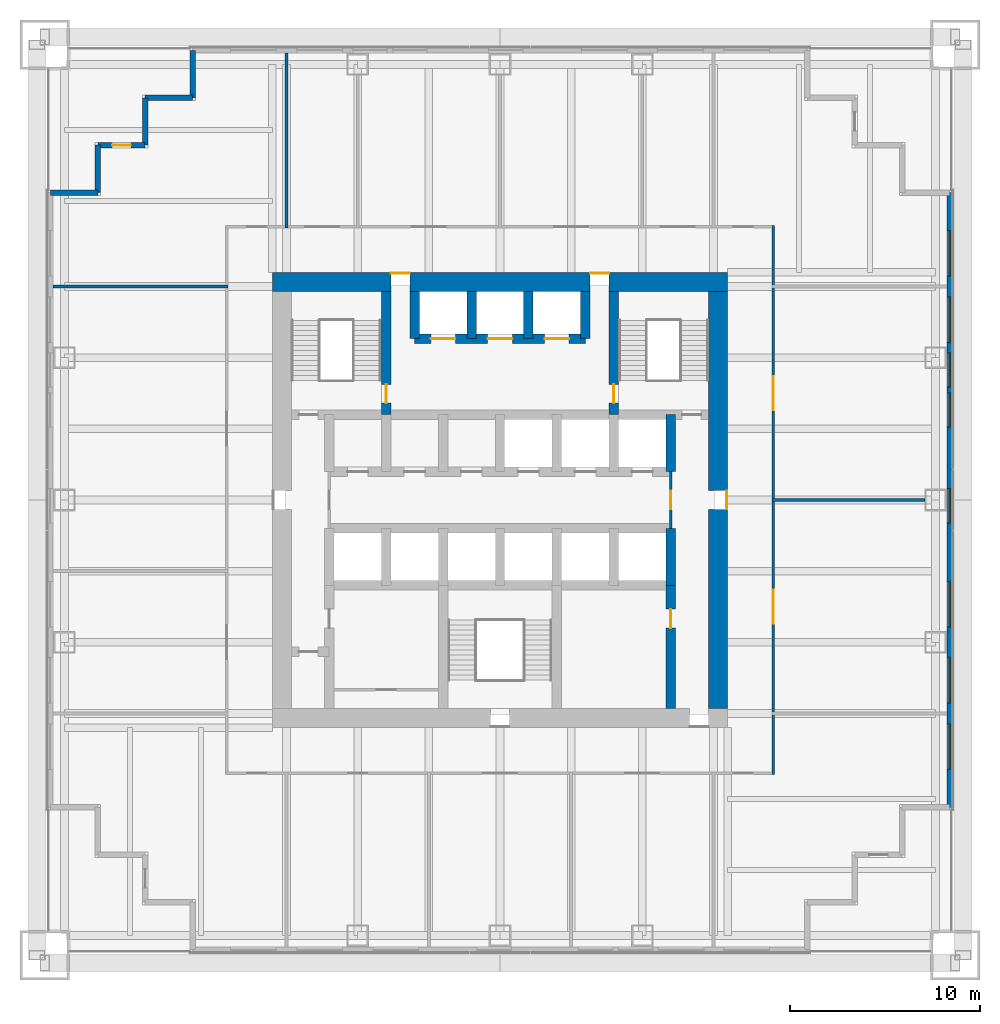
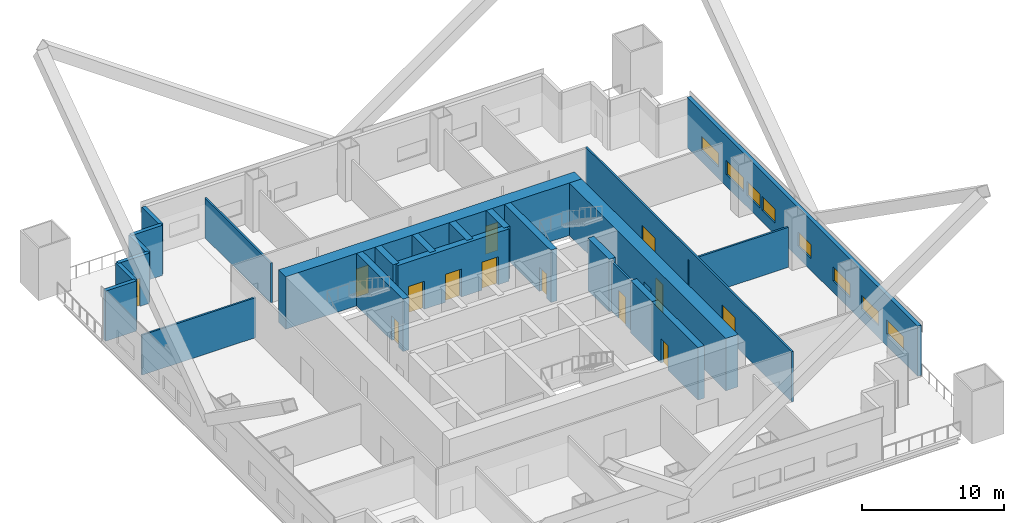
# One storey, part 4 of 7: 24 walls, 13 doors, 8 windows, 21 openings.
"""IFC4 building model written with IfcOpenShell, lengths in metres."""

from ifc_helpers import new_model, si_unit, direction, frame, frame_2d, origin, place, context, subcontext, project, spatial, rectangle, extrude, material, layer, layer_set, type_object, element, fill, save


model = new_model("IFC4")

# Units and contexts
model_context = context("Model", 3, precision=1e-05, world=origin(), true_north=direction((0.0, 1.0)))
body_context = subcontext(model_context, "Body", "Model", "MODEL_VIEW")
ifc_project = project(units=[si_unit("LENGTHUNIT", "METRE"), si_unit("AREAUNIT", "SQUARE_METRE"), si_unit("VOLUMEUNIT", "CUBIC_METRE"), si_unit("PLANEANGLEUNIT", "RADIAN"), si_unit("MASSUNIT", "GRAM", prefix="KILO")], contexts=[model_context])

# Site, building, storey
site_placement = place(None, origin())
site = spatial("IfcSite", under=ifc_project, at=site_placement, CompositionType="ELEMENT")
building_placement = place(site_placement, origin())
building = spatial("IfcBuilding", under=site, at=building_placement, Name="Tarangal Relay Tower", CompositionType="ELEMENT")
storey_placement = place(building_placement, frame((0.0, 0.0, 117.89990234375)))
storey = spatial("IfcBuildingStorey", under=building, at=storey_placement, Name="L23", CompositionType="ELEMENT", Elevation=117.89990234375)

# Wall, openings, doors
ifc_material_1 = material(Name="Concrete fc' 60 MPa", Category="concrete")
ifc_layer_1 = layer(ifc_material_1, 0.5)
ifc_layer_set_1 = layer_set([ifc_layer_1], Name="Core inner wall 500")
wall_type_1 = type_object("IfcWallType", Name="Core inner wall 500", PredefinedType="SHEAR", material=ifc_layer_set_1)
wall_1_placement = place(storey_placement, frame((-4.5, 8.5, 0.0), z_axis=(0.0, 0.0, 1.0), x_axis=(1.0, 0.0, 0.0)))
wall_1 = element("IfcWall", 1, at=wall_1_placement, inside=storey, type_object=wall_type_1, Name="Core wall Y85 L23", PredefinedType="SHEAR", context=body_context, shape_type="SweptSolid", body=[
    extrude(rectangle(XDim=9.0, YDim=0.5, at=frame_2d((4.5, 0.0))), origin(), (0.0, 0.0, 1.0), 4.5),
])
opening_1_placement = place(wall_1_placement, frame((0.85009765625, 0.0, 0.0)))
opening_1 = element("IfcOpeningElement", 2, at=opening_1_placement, cuts=wall_1, Name="Opening LD2", PredefinedType="OPENING", context=body_context, shape_type="SweptSolid", body=[
    extrude(rectangle(XDim=1.300048828125, YDim=2.39990234375, at=frame_2d((0.64990234375, 1.199951171875))), frame((0.0, 0.260009765625, 0.0), z_axis=(0.0, -1.0, 0.0), x_axis=(1.0, 0.0, 0.0)), (0.0, 0.0, 1.0), 0.52001953125),
])
opening_2_placement = place(wall_1_placement, frame((6.85009765625, 0.0, 0.0)))
opening_2 = element("IfcOpeningElement", 3, at=opening_2_placement, cuts=wall_1, Name="Opening LD2", PredefinedType="OPENING", context=body_context, shape_type="SweptSolid", body=[
    extrude(rectangle(XDim=1.300048828125, YDim=2.39990234375, at=frame_2d((0.64990234375, 1.199951171875))), frame((0.0, 0.260009765625, 0.0), z_axis=(0.0, -1.0, 0.0), x_axis=(1.0, 0.0, 0.0)), (0.0, 0.0, 1.0), 0.52001953125),
])
opening_3_placement = place(wall_1_placement, frame((3.85009765625, 0.0, 0.0)))
opening_3 = element("IfcOpeningElement", 4, at=opening_3_placement, cuts=wall_1, Name="Opening LD2", PredefinedType="OPENING", context=body_context, shape_type="SweptSolid", body=[
    extrude(rectangle(XDim=1.300048828125, YDim=2.39990234375, at=frame_2d((0.64990234375, 1.199951171875))), frame((0.0, 0.260009765625, 0.0), z_axis=(0.0, -1.0, 0.0), x_axis=(1.0, 0.0, 0.0)), (0.0, 0.0, 1.0), 0.52001953125),
])
ifc_material_2 = material(Name="Steel door with hardwood frame", Category="steel")
door_type_1 = type_object("IfcDoorType", Name="Lift landing door 1300 x 2400", OperationType="SLIDING_TO_LEFT", PredefinedType="DOOR", material=ifc_material_2)
door_1_placement = place(opening_1_placement, origin())
door_1 = element("IfcDoor", 5, at=door_1_placement, inside=storey, type_object=door_type_1, Name="Lift FF1 landing door L23", OperationType="SLIDING_TO_LEFT", OverallHeight=2.39990234375, OverallWidth=1.300048828125, PredefinedType="DOOR", context=body_context, shape_type="SweptSolid", body=[
    extrude(rectangle(XDim=1.300048828125, YDim=2.39990234375, at=frame_2d((0.64990234375, 1.199951171875))), frame((0.0, 0.02490234375, 0.0), z_axis=(0.0, -1.0, 0.0), x_axis=(1.0, 0.0, 0.0)), (0.0, 0.0, 1.0), 0.050048828125),
])
fill(opening_1, door_1)
door_2_placement = place(opening_2_placement, origin())
door_2 = element("IfcDoor", 6, at=door_2_placement, inside=storey, type_object=door_type_1, Name="Lift FF2 landing door L23", OperationType="SLIDING_TO_LEFT", OverallHeight=2.39990234375, OverallWidth=1.300048828125, PredefinedType="DOOR", context=body_context, shape_type="SweptSolid", body=[
    extrude(rectangle(XDim=1.300048828125, YDim=2.39990234375, at=frame_2d((0.64990234375, 1.199951171875))), frame((0.0, 0.02490234375, 0.0), z_axis=(0.0, -1.0, 0.0), x_axis=(1.0, 0.0, 0.0)), (0.0, 0.0, 1.0), 0.050048828125),
])
fill(opening_2, door_2)
door_3_placement = place(opening_3_placement, origin())
door_3 = element("IfcDoor", 7, at=door_3_placement, inside=storey, type_object=door_type_1, Name="Lift SV1 landing door L23", OperationType="SLIDING_TO_LEFT", OverallHeight=2.39990234375, OverallWidth=1.300048828125, PredefinedType="DOOR", context=body_context, shape_type="SweptSolid", body=[
    extrude(rectangle(XDim=1.300048828125, YDim=2.39990234375, at=frame_2d((0.64990234375, 1.199951171875))), frame((0.0, 0.02490234375, 0.0), z_axis=(0.0, -1.0, 0.0), x_axis=(1.0, 0.0, 0.0)), (0.0, 0.0, 1.0), 0.050048828125),
])
fill(opening_3, door_3)

# Walls
for number, where, z_axis, x_axis, name in (
    (8, (9.0, 1.5, 0.0), (0.0, 0.0, 1.0), (0.0, 1.0, 0.0), "Core wall X9N L23"),
    (9, (9.0, -4.5, 0.0), (0.0, 0.0, 1.0), (0.0, 1.0, 0.0), "Core wall X9S L23"),
):
    element("IfcWall", number, at=place(storey_placement, frame(where, z_axis=z_axis, x_axis=x_axis)), inside=storey, type_object=wall_type_1, Name=name, PredefinedType="SHEAR", context=body_context, shape_type="SweptSolid", body=[
        extrude(rectangle(XDim=3.0, YDim=0.5, at=frame_2d((1.5, 0.0))), origin(), (0.0, 0.0, 1.0), 4.5),
    ])

# Wall, opening, door
wall_2_placement = place(storey_placement, frame((-6.0, 4.5, 0.0), z_axis=(0.0, 0.0, 1.0), x_axis=(0.0, 1.0, 0.0)))
wall_2 = element("IfcWall", 10, at=wall_2_placement, inside=storey, type_object=wall_type_1, Name="Core wall XM6 L23", PredefinedType="SHEAR", context=body_context, shape_type="SweptSolid", body=[
    extrude(rectangle(XDim=6.5, YDim=0.5, at=frame_2d((3.25, 0.0))), origin(), (0.0, 0.0, 1.0), 4.5),
])
opening_4_placement = place(wall_2_placement, frame((0.60009765625, 0.0, 0.0)))
opening_4 = element("IfcOpeningElement", 11, at=opening_4_placement, cuts=wall_2, Name="Opening FD1", PredefinedType="OPENING", context=body_context, shape_type="SweptSolid", body=[
    extrude(rectangle(XDim=1.0, YDim=2.10009765625, at=frame_2d((0.5, 1.050048828125))), frame((0.0, 0.260009765625, 0.0), z_axis=(0.0, -1.0, 0.0), x_axis=(1.0, 0.0, 0.0)), (0.0, 0.0, 1.0), 0.52001953125),
])
door_type_2 = type_object("IfcDoorType", Name="Fire door 1000 x 2100", OperationType="SINGLE_SWING_LEFT", PredefinedType="DOOR", material=ifc_material_2)
door_4_placement = place(opening_4_placement, origin())
door_4 = element("IfcDoor", 12, at=door_4_placement, inside=storey, type_object=door_type_2, Name="Stair ST-A door from fire-fighting lobby L23", OperationType="SINGLE_SWING_LEFT", OverallHeight=2.10009765625, OverallWidth=1.0, PredefinedType="DOOR", context=body_context, shape_type="SweptSolid", body=[
    extrude(rectangle(XDim=1.0, YDim=2.10009765625, at=frame_2d((0.5, 1.050048828125))), frame((0.0, 0.02490234375, 0.0), z_axis=(0.0, -1.0, 0.0), x_axis=(1.0, 0.0, 0.0)), (0.0, 0.0, 1.0), 0.050048828125),
])
fill(opening_4, door_4)

wall_3_placement = place(storey_placement, frame((6.0, 4.5, 0.0), z_axis=(0.0, 0.0, 1.0), x_axis=(0.0, 1.0, 0.0)))
wall_3 = element("IfcWall", 13, at=wall_3_placement, inside=storey, type_object=wall_type_1, Name="Core wall X6 L23", PredefinedType="SHEAR", context=body_context, shape_type="SweptSolid", body=[
    extrude(rectangle(XDim=6.5, YDim=0.5, at=frame_2d((3.25, 0.0))), origin(), (0.0, 0.0, 1.0), 4.5),
])
opening_5_placement = place(wall_3_placement, frame((0.60009765625, 0.0, 0.0)))
opening_5 = element("IfcOpeningElement", 14, at=opening_5_placement, cuts=wall_3, Name="Opening FD1", PredefinedType="OPENING", context=body_context, shape_type="SweptSolid", body=[
    extrude(rectangle(XDim=1.0, YDim=2.10009765625, at=frame_2d((0.5, 1.050048828125))), frame((0.0, 0.260009765625, 0.0), z_axis=(0.0, -1.0, 0.0), x_axis=(1.0, 0.0, 0.0)), (0.0, 0.0, 1.0), 0.52001953125),
])
door_5_placement = place(opening_5_placement, origin())
door_5 = element("IfcDoor", 15, at=door_5_placement, inside=storey, type_object=door_type_2, Name="Stair ST-B door from fire-fighting lobby L23", OperationType="SINGLE_SWING_LEFT", OverallHeight=2.10009765625, OverallWidth=1.0, PredefinedType="DOOR", context=body_context, shape_type="SweptSolid", body=[
    extrude(rectangle(XDim=1.0, YDim=2.10009765625, at=frame_2d((0.5, 1.050048828125))), frame((0.0, 0.02490234375, 0.0), z_axis=(0.0, -1.0, 0.0), x_axis=(1.0, 0.0, 0.0)), (0.0, 0.0, 1.0), 0.050048828125),
])
fill(opening_5, door_5)

# Walls
for number, where, z_axis, x_axis, name in (
    (16, (-4.5, 8.5, 0.0), (0.0, 0.0, 1.0), (0.0, 1.0, 0.0), "Core wall XM45 L23"),
    (17, (4.5, 8.5, 0.0), (0.0, 0.0, 1.0), (0.0, 1.0, 0.0), "Core wall X45 L23"),
    (18, (-1.5, 8.5, 0.0), (0.0, 0.0, 1.0), (0.0, 1.0, 0.0), "Core wall XM15 L23"),
    (19, (1.5, 8.5, 0.0), (0.0, 0.0, 1.0), (0.0, 1.0, 0.0), "Core wall X15 L23"),
):
    element("IfcWall", number, at=place(storey_placement, frame(where, z_axis=z_axis, x_axis=x_axis)), inside=storey, type_object=wall_type_1, Name=name, PredefinedType="SHEAR", context=body_context, shape_type="SweptSolid", body=[
        extrude(rectangle(XDim=2.5, YDim=0.5, at=frame_2d((1.25, 0.0))), origin(), (0.0, 0.0, 1.0), 4.5),
    ])

# Wall, opening, door
wall_4_placement = place(storey_placement, frame((9.0, -11.0, 0.0), z_axis=(0.0, 0.0, 1.0), x_axis=(0.0, 1.0, 0.0)))
wall_4 = element("IfcWall", 20, at=wall_4_placement, inside=storey, type_object=wall_type_1, Name="Core wall X9W L23", PredefinedType="SHEAR", context=body_context, shape_type="SweptSolid", body=[
    extrude(rectangle(XDim=6.5, YDim=0.5, at=frame_2d((3.25, 0.0))), origin(), (0.0, 0.0, 1.0), 4.5),
])
opening_6_placement = place(wall_4_placement, frame((4.25, 0.0, 0.0)))
opening_6 = element("IfcOpeningElement", 21, at=opening_6_placement, cuts=wall_4, Name="Opening D1", PredefinedType="OPENING", context=body_context, shape_type="SweptSolid", body=[
    extrude(rectangle(XDim=1.0, YDim=2.10009765625, at=frame_2d((0.5, 1.050048828125))), frame((0.0, 0.260009765625, 0.0), z_axis=(0.0, -1.0, 0.0), x_axis=(1.0, 0.0, 0.0)), (0.0, 0.0, 1.0), 0.52001953125),
])
ifc_material_3 = material(Name="Hardwood door", Category="wood")
door_type_3 = type_object("IfcDoorType", Name="WC door 1000 x 2100", OperationType="SINGLE_SWING_LEFT", PredefinedType="DOOR", material=ifc_material_3)
door_6_placement = place(opening_6_placement, origin())
door_6 = element("IfcDoor", 22, at=door_6_placement, inside=storey, type_object=door_type_3, Name="Female WC door L23", OperationType="SINGLE_SWING_LEFT", OverallHeight=2.10009765625, OverallWidth=1.0, PredefinedType="DOOR", context=body_context, shape_type="SweptSolid", body=[
    extrude(rectangle(XDim=1.0, YDim=2.10009765625, at=frame_2d((0.5, 1.050048828125))), frame((0.0, 0.02490234375, 0.0), z_axis=(0.0, -1.0, 0.0), x_axis=(1.0, 0.0, 0.0)), (0.0, 0.0, 1.0), 0.050048828125),
])
fill(opening_6, door_6)

# Wall, openings, doors
ifc_layer_2 = layer(ifc_material_1, 1.0)
ifc_layer_set_2 = layer_set([ifc_layer_2], Name="Core wall 1000")
wall_type_2 = type_object("IfcWallType", Name="Core wall 1000", PredefinedType="SHEAR", material=ifc_layer_set_2)
wall_5_placement = place(storey_placement, frame((-12.0, 11.5, 0.0), z_axis=(0.0, 0.0, 1.0), x_axis=(1.0, 0.0, 0.0)))
wall_5 = element("IfcWall", 23, at=wall_5_placement, inside=storey, type_object=wall_type_2, Name="Core wall N L23", PredefinedType="SHEAR", context=body_context, shape_type="SweptSolid", body=[
    extrude(rectangle(XDim=24.0, YDim=1.0, at=frame_2d((12.0, 0.0))), origin(), (0.0, 0.0, 1.0), 4.5),
])
opening_7_placement = place(wall_5_placement, frame((6.25, 0.0, 0.0)))
opening_7 = element("IfcOpeningElement", 24, at=opening_7_placement, cuts=wall_5, Name="Opening FD3", PredefinedType="OPENING", context=body_context, shape_type="SweptSolid", body=[
    extrude(rectangle(XDim=1.0, YDim=2.39990234375, at=frame_2d((0.5, 1.199951171875))), frame((0.0, 0.510009765625, 0.0), z_axis=(0.0, -1.0, 0.0), x_axis=(1.0, 0.0, 0.0)), (0.0, 0.0, 1.0), 1.02001953125),
])
opening_8_placement = place(wall_5_placement, frame((16.75, 0.0, 0.0)))
opening_8 = element("IfcOpeningElement", 25, at=opening_8_placement, cuts=wall_5, Name="Opening FD3", PredefinedType="OPENING", context=body_context, shape_type="SweptSolid", body=[
    extrude(rectangle(XDim=1.0, YDim=2.39990234375, at=frame_2d((0.5, 1.199951171875))), frame((0.0, 0.510009765625, 0.0), z_axis=(0.0, -1.0, 0.0), x_axis=(1.0, 0.0, 0.0)), (0.0, 0.0, 1.0), 1.02001953125),
])
door_type_4 = type_object("IfcDoorType", Name="Fire door 1000 x 2400 core entry", OperationType="SINGLE_SWING_RIGHT", PredefinedType="DOOR", material=ifc_material_2)
door_7_placement = place(opening_7_placement, origin())
door_7 = element("IfcDoor", 26, at=door_7_placement, inside=storey, type_object=door_type_4, Name="Core entry door north west L23", OperationType="SINGLE_SWING_RIGHT", OverallHeight=2.39990234375, OverallWidth=1.0, PredefinedType="DOOR", context=body_context, shape_type="SweptSolid", body=[
    extrude(rectangle(XDim=1.0, YDim=2.39990234375, at=frame_2d((0.5, 1.199951171875))), frame((0.0, 0.48486328125, 0.0), z_axis=(0.0, -1.0, 0.0), x_axis=(1.0, 0.0, 0.0)), (0.0, 0.0, 1.0), 0.050048828125),
])
fill(opening_7, door_7)
door_8_placement = place(opening_8_placement, origin())
door_8 = element("IfcDoor", 27, at=door_8_placement, inside=storey, type_object=door_type_4, Name="Core entry door north east L23", OperationType="SINGLE_SWING_RIGHT", OverallHeight=2.39990234375, OverallWidth=1.0, PredefinedType="DOOR", context=body_context, shape_type="SweptSolid", body=[
    extrude(rectangle(XDim=1.0, YDim=2.39990234375, at=frame_2d((0.5, 1.199951171875))), frame((0.0, 0.48486328125, 0.0), z_axis=(0.0, -1.0, 0.0), x_axis=(1.0, 0.0, 0.0)), (0.0, 0.0, 1.0), 0.050048828125),
])
fill(opening_8, door_8)

# Wall, opening, door
wall_6_placement = place(storey_placement, frame((11.5, 11.0, 0.0), z_axis=(0.0, 0.0, 1.0), x_axis=(0.0, -1.0, 0.0)))
wall_6 = element("IfcWall", 28, at=wall_6_placement, inside=storey, type_object=wall_type_2, Name="Core wall E L23", PredefinedType="SHEAR", context=body_context, shape_type="SweptSolid", body=[
    extrude(rectangle(XDim=22.0, YDim=1.0, at=frame_2d((11.0, 0.0))), origin(), (0.0, 0.0, 1.0), 4.5),
])
opening_9_placement = place(wall_6_placement, frame((10.5, 0.0, 0.0)))
opening_9 = element("IfcOpeningElement", 29, at=opening_9_placement, cuts=wall_6, Name="Opening FD3", PredefinedType="OPENING", context=body_context, shape_type="SweptSolid", body=[
    extrude(rectangle(XDim=1.0, YDim=2.39990234375, at=frame_2d((0.5, 1.199951171875))), frame((0.0, 0.510009765625, 0.0), z_axis=(0.0, -1.0, 0.0), x_axis=(1.0, 0.0, 0.0)), (0.0, 0.0, 1.0), 1.02001953125),
])
door_9_placement = place(opening_9_placement, origin())
door_9 = element("IfcDoor", 30, at=door_9_placement, inside=storey, type_object=door_type_4, Name="Core entry door east L23", OperationType="SINGLE_SWING_RIGHT", OverallHeight=2.39990234375, OverallWidth=1.0, PredefinedType="DOOR", context=body_context, shape_type="SweptSolid", body=[
    extrude(rectangle(XDim=1.0, YDim=2.39990234375, at=frame_2d((0.5, 1.199951171875))), frame((0.0, 0.48486328125, 0.0), z_axis=(0.0, -1.0, 0.0), x_axis=(1.0, 0.0, 0.0)), (0.0, 0.0, 1.0), 0.050048828125),
])
fill(opening_9, door_9)

# Wall, openings, windows
ifc_material_4 = material(Name="Insulated precast concrete fc' 40 MPa", Category="concrete")
ifc_layer_3 = layer(ifc_material_4, 0.300048828125)
ifc_layer_set_3 = layer_set([ifc_layer_3], Name="Insulated precast concrete fc' 40 MPa")
wall_type_3 = type_object("IfcWallType", Name="Facade wall precast 300", PredefinedType="SOLIDWALL", material=ifc_layer_set_3)
wall_7_placement = place(storey_placement, frame((23.699951171875, 16.199951171875, 0.0), z_axis=(0.0, 0.0, 1.0), x_axis=(0.0, -1.0, 0.0)))
wall_7 = element("IfcWall", 31, at=wall_7_placement, inside=storey, type_object=wall_type_3, Name="Facade wall E facade L23", PredefinedType="SOLIDWALL", context=body_context, shape_type="SweptSolid", body=[
    extrude(rectangle(XDim=32.39990234375, YDim=0.300048828125, at=frame_2d((16.199951171875, 0.0))), origin(), (0.0, 0.0, 1.0), 4.300048828125),
])
opening_10_placement = place(wall_7_placement, frame((2.0, 0.0, 1.0)))
opening_10 = element("IfcOpeningElement", 32, at=opening_10_placement, cuts=wall_7, Name="Opening WN1", PredefinedType="OPENING", context=body_context, shape_type="SweptSolid", body=[
    extrude(rectangle(XDim=2.39990234375, YDim=1.199951171875, at=frame_2d((1.199951171875, 0.60009765625))), frame((0.0, 0.159912109375, 0.0), z_axis=(0.0, -1.0, 0.0), x_axis=(1.0, 0.0, 0.0)), (0.0, 0.0, 1.0), 0.320068359375),
])
opening_11_placement = place(wall_7_placement, frame((5.5, 0.0, 1.0)))
opening_11 = element("IfcOpeningElement", 33, at=opening_11_placement, cuts=wall_7, Name="Opening WN1", PredefinedType="OPENING", context=body_context, shape_type="SweptSolid", body=[
    extrude(rectangle(XDim=2.39990234375, YDim=1.199951171875, at=frame_2d((1.199951171875, 0.60009765625))), frame((0.0, 0.159912109375, 0.0), z_axis=(0.0, -1.0, 0.0), x_axis=(1.0, 0.0, 0.0)), (0.0, 0.0, 1.0), 0.320068359375),
])
opening_12_placement = place(wall_7_placement, frame((8.449951171875, 0.0, 1.0)))
opening_12 = element("IfcOpeningElement", 34, at=opening_12_placement, cuts=wall_7, Name="Opening WN5", PredefinedType="OPENING", context=body_context, shape_type="SweptSolid", body=[
    extrude(rectangle(XDim=1.800048828125, YDim=1.199951171875, at=frame_2d((0.89990234375, 0.60009765625))), frame((0.0, 0.159912109375, 0.0), z_axis=(0.0, -1.0, 0.0), x_axis=(1.0, 0.0, 0.0)), (0.0, 0.0, 1.0), 0.320068359375),
])
opening_13_placement = place(wall_7_placement, frame((10.550048828125, 0.0, 1.0)))
opening_13 = element("IfcOpeningElement", 35, at=opening_13_placement, cuts=wall_7, Name="Opening WN5", PredefinedType="OPENING", context=body_context, shape_type="SweptSolid", body=[
    extrude(rectangle(XDim=1.800048828125, YDim=1.199951171875, at=frame_2d((0.89990234375, 0.60009765625))), frame((0.0, 0.159912109375, 0.0), z_axis=(0.0, -1.0, 0.0), x_axis=(1.0, 0.0, 0.0)), (0.0, 0.0, 1.0), 0.320068359375),
])
opening_14_placement = place(wall_7_placement, frame((15.60009765625, 0.0, 1.0)))
opening_14 = element("IfcOpeningElement", 36, at=opening_14_placement, cuts=wall_7, Name="Opening WN5", PredefinedType="OPENING", context=body_context, shape_type="SweptSolid", body=[
    extrude(rectangle(XDim=1.800048828125, YDim=1.199951171875, at=frame_2d((0.89990234375, 0.60009765625))), frame((0.0, 0.159912109375, 0.0), z_axis=(0.0, -1.0, 0.0), x_axis=(1.0, 0.0, 0.0)), (0.0, 0.0, 1.0), 0.320068359375),
])
opening_15_placement = place(wall_7_placement, frame((20.5, 0.0, 1.0)))
opening_15 = element("IfcOpeningElement", 37, at=opening_15_placement, cuts=wall_7, Name="Opening WN1", PredefinedType="OPENING", context=body_context, shape_type="SweptSolid", body=[
    extrude(rectangle(XDim=2.39990234375, YDim=1.199951171875, at=frame_2d((1.199951171875, 0.60009765625))), frame((0.0, 0.159912109375, 0.0), z_axis=(0.0, -1.0, 0.0), x_axis=(1.0, 0.0, 0.0)), (0.0, 0.0, 1.0), 0.320068359375),
])
opening_16_placement = place(wall_7_placement, frame((24.5, 0.0, 1.0)))
opening_16 = element("IfcOpeningElement", 38, at=opening_16_placement, cuts=wall_7, Name="Opening WN1", PredefinedType="OPENING", context=body_context, shape_type="SweptSolid", body=[
    extrude(rectangle(XDim=2.39990234375, YDim=1.199951171875, at=frame_2d((1.199951171875, 0.60009765625))), frame((0.0, 0.159912109375, 0.0), z_axis=(0.0, -1.0, 0.0), x_axis=(1.0, 0.0, 0.0)), (0.0, 0.0, 1.0), 0.320068359375),
])
opening_17_placement = place(wall_7_placement, frame((28.0, 0.0, 1.0)))
opening_17 = element("IfcOpeningElement", 39, at=opening_17_placement, cuts=wall_7, Name="Opening WN1", PredefinedType="OPENING", context=body_context, shape_type="SweptSolid", body=[
    extrude(rectangle(XDim=2.39990234375, YDim=1.199951171875, at=frame_2d((1.199951171875, 0.60009765625))), frame((0.0, 0.159912109375, 0.0), z_axis=(0.0, -1.0, 0.0), x_axis=(1.0, 0.0, 0.0)), (0.0, 0.0, 1.0), 0.320068359375),
])
ifc_material_5 = material(Name="Dark tinted double glazing in black aluminium frame", Category="aluminium")
window_type_1 = type_object("IfcWindowType", Name="Ribbon window 1800 x 1200", PartitioningType="SINGLE_PANEL", PredefinedType="WINDOW", material=ifc_material_5)
window_1_placement = place(opening_12_placement, origin())
window_1 = element("IfcWindow", 40, at=window_1_placement, inside=storey, type_object=window_type_1, Name="Ribbon window WN5 E facade L23", OverallHeight=1.199951171875, OverallWidth=1.800048828125, PartitioningType="SINGLE_PANEL", PredefinedType="WINDOW", context=body_context, shape_type="SweptSolid", body=[
    extrude(rectangle(XDim=1.800048828125, YDim=1.199951171875, at=frame_2d((0.89990234375, 0.60009765625))), frame((0.0, 0.030029296875, 0.0), z_axis=(0.0, -1.0, 0.0), x_axis=(1.0, 0.0, 0.0)), (0.0, 0.0, 1.0), 0.06005859375),
])
fill(opening_12, window_1)
window_2_placement = place(opening_13_placement, origin())
window_2 = element("IfcWindow", 41, at=window_2_placement, inside=storey, type_object=window_type_1, Name="Ribbon window WN5 E facade L23", OverallHeight=1.199951171875, OverallWidth=1.800048828125, PartitioningType="SINGLE_PANEL", PredefinedType="WINDOW", context=body_context, shape_type="SweptSolid", body=[
    extrude(rectangle(XDim=1.800048828125, YDim=1.199951171875, at=frame_2d((0.89990234375, 0.60009765625))), frame((0.0, 0.030029296875, 0.0), z_axis=(0.0, -1.0, 0.0), x_axis=(1.0, 0.0, 0.0)), (0.0, 0.0, 1.0), 0.06005859375),
])
fill(opening_13, window_2)
window_3_placement = place(opening_14_placement, origin())
window_3 = element("IfcWindow", 42, at=window_3_placement, inside=storey, type_object=window_type_1, Name="Ribbon window WN5 E facade L23", OverallHeight=1.199951171875, OverallWidth=1.800048828125, PartitioningType="SINGLE_PANEL", PredefinedType="WINDOW", context=body_context, shape_type="SweptSolid", body=[
    extrude(rectangle(XDim=1.800048828125, YDim=1.199951171875, at=frame_2d((0.89990234375, 0.60009765625))), frame((0.0, 0.030029296875, 0.0), z_axis=(0.0, -1.0, 0.0), x_axis=(1.0, 0.0, 0.0)), (0.0, 0.0, 1.0), 0.06005859375),
])
fill(opening_14, window_3)
window_type_2 = type_object("IfcWindowType", Name="Ribbon window 2400 x 1200", PartitioningType="SINGLE_PANEL", PredefinedType="WINDOW", material=ifc_material_5)
window_4_placement = place(opening_10_placement, origin())
window_4 = element("IfcWindow", 43, at=window_4_placement, inside=storey, type_object=window_type_2, Name="Ribbon window WN1 E facade L23", OverallHeight=1.199951171875, OverallWidth=2.39990234375, PartitioningType="SINGLE_PANEL", PredefinedType="WINDOW", context=body_context, shape_type="SweptSolid", body=[
    extrude(rectangle(XDim=2.39990234375, YDim=1.199951171875, at=frame_2d((1.199951171875, 0.60009765625))), frame((0.0, 0.030029296875, 0.0), z_axis=(0.0, -1.0, 0.0), x_axis=(1.0, 0.0, 0.0)), (0.0, 0.0, 1.0), 0.06005859375),
])
fill(opening_10, window_4)
window_5_placement = place(opening_11_placement, origin())
window_5 = element("IfcWindow", 44, at=window_5_placement, inside=storey, type_object=window_type_2, Name="Ribbon window WN1 E facade L23", OverallHeight=1.199951171875, OverallWidth=2.39990234375, PartitioningType="SINGLE_PANEL", PredefinedType="WINDOW", context=body_context, shape_type="SweptSolid", body=[
    extrude(rectangle(XDim=2.39990234375, YDim=1.199951171875, at=frame_2d((1.199951171875, 0.60009765625))), frame((0.0, 0.030029296875, 0.0), z_axis=(0.0, -1.0, 0.0), x_axis=(1.0, 0.0, 0.0)), (0.0, 0.0, 1.0), 0.06005859375),
])
fill(opening_11, window_5)
window_6_placement = place(opening_15_placement, origin())
window_6 = element("IfcWindow", 45, at=window_6_placement, inside=storey, type_object=window_type_2, Name="Ribbon window WN1 E facade L23", OverallHeight=1.199951171875, OverallWidth=2.39990234375, PartitioningType="SINGLE_PANEL", PredefinedType="WINDOW", context=body_context, shape_type="SweptSolid", body=[
    extrude(rectangle(XDim=2.39990234375, YDim=1.199951171875, at=frame_2d((1.199951171875, 0.60009765625))), frame((0.0, 0.030029296875, 0.0), z_axis=(0.0, -1.0, 0.0), x_axis=(1.0, 0.0, 0.0)), (0.0, 0.0, 1.0), 0.06005859375),
])
fill(opening_15, window_6)
window_7_placement = place(opening_16_placement, origin())
window_7 = element("IfcWindow", 46, at=window_7_placement, inside=storey, type_object=window_type_2, Name="Ribbon window WN1 E facade L23", OverallHeight=1.199951171875, OverallWidth=2.39990234375, PartitioningType="SINGLE_PANEL", PredefinedType="WINDOW", context=body_context, shape_type="SweptSolid", body=[
    extrude(rectangle(XDim=2.39990234375, YDim=1.199951171875, at=frame_2d((1.199951171875, 0.60009765625))), frame((0.0, 0.030029296875, 0.0), z_axis=(0.0, -1.0, 0.0), x_axis=(1.0, 0.0, 0.0)), (0.0, 0.0, 1.0), 0.06005859375),
])
fill(opening_16, window_7)
window_8_placement = place(opening_17_placement, origin())
window_8 = element("IfcWindow", 47, at=window_8_placement, inside=storey, type_object=window_type_2, Name="Ribbon window WN1 E facade L23", OverallHeight=1.199951171875, OverallWidth=2.39990234375, PartitioningType="SINGLE_PANEL", PredefinedType="WINDOW", context=body_context, shape_type="SweptSolid", body=[
    extrude(rectangle(XDim=2.39990234375, YDim=1.199951171875, at=frame_2d((1.199951171875, 0.60009765625))), frame((0.0, 0.030029296875, 0.0), z_axis=(0.0, -1.0, 0.0), x_axis=(1.0, 0.0, 0.0)), (0.0, 0.0, 1.0), 0.06005859375),
])
fill(opening_17, window_8)

# Walls
for number, where, z_axis, x_axis, name in (
    (48, (-23.699951171875, 16.199951171875, 0.0), (0.0, 0.0, 1.0), (1.0, 0.0, 0.0), "Facade wall W facade L23"),
    (49, (-21.199951171875, 16.199951171875, 0.0), (0.0, 0.0, 1.0), (0.0, 1.0, 0.0), "Facade wall W facade L23"),
):
    element("IfcWall", number, at=place(storey_placement, frame(where, z_axis=z_axis, x_axis=x_axis)), inside=storey, type_object=wall_type_3, Name=name, PredefinedType="SOLIDWALL", context=body_context, shape_type="SweptSolid", body=[
        extrude(rectangle(XDim=2.5, YDim=0.300048828125, at=frame_2d((1.25, 0.0))), origin(), (0.0, 0.0, 1.0), 4.300048828125),
    ])

# Wall, opening, door
wall_8_placement = place(storey_placement, frame((-21.199951171875, 18.699951171875, 0.0), z_axis=(0.0, 0.0, 1.0), x_axis=(1.0, 0.0, 0.0)))
wall_8 = element("IfcWall", 50, at=wall_8_placement, inside=storey, type_object=wall_type_3, Name="Facade wall W facade L23", PredefinedType="SOLIDWALL", context=body_context, shape_type="SweptSolid", body=[
    extrude(rectangle(XDim=2.5, YDim=0.300048828125, at=frame_2d((1.25, 0.0))), origin(), (0.0, 0.0, 1.0), 4.300048828125),
])
opening_18_placement = place(wall_8_placement, frame((0.75, 0.0, 0.0)))
opening_18 = element("IfcOpeningElement", 51, at=opening_18_placement, cuts=wall_8, Name="Opening TD1", PredefinedType="OPENING", context=body_context, shape_type="SweptSolid", body=[
    extrude(rectangle(XDim=1.0, YDim=2.39990234375, at=frame_2d((0.5, 1.199951171875))), frame((0.0, 0.159912109375, 0.0), z_axis=(0.0, -1.0, 0.0), x_axis=(1.0, 0.0, 0.0)), (0.0, 0.0, 1.0), 0.320068359375),
])
ifc_material_6 = material(Name="Aluminium glazed door", Category="aluminium")
door_type_5 = type_object("IfcDoorType", Name="Terrace door 1000 x 2400", OperationType="SINGLE_SWING_RIGHT", PredefinedType="DOOR", material=ifc_material_6)
door_10_placement = place(opening_18_placement, origin())
door_10 = element("IfcDoor", 52, at=door_10_placement, inside=storey, type_object=door_type_5, Name="Terrace door TD1 NW L23", OperationType="SINGLE_SWING_RIGHT", OverallHeight=2.39990234375, OverallWidth=1.0, PredefinedType="DOOR", context=body_context, shape_type="SweptSolid", body=[
    extrude(rectangle(XDim=1.0, YDim=2.39990234375, at=frame_2d((0.5, 1.199951171875))), frame((0.0, 0.02490234375, 0.0), z_axis=(0.0, -1.0, 0.0), x_axis=(1.0, 0.0, 0.0)), (0.0, 0.0, 1.0), 0.050048828125),
])
fill(opening_18, door_10)

# Walls
for number, where, z_axis, x_axis, name in (
    (53, (-18.699951171875, 18.699951171875, 0.0), (0.0, 0.0, 1.0), (0.0, 1.0, 0.0), "Facade wall W facade L23"),
    (54, (-18.699951171875, 21.199951171875, 0.0), (0.0, 0.0, 1.0), (1.0, 0.0, 0.0), "Facade wall W facade L23"),
    (55, (-16.199951171875, 21.199951171875, 0.0), (0.0, 0.0, 1.0), (0.0, 1.0, 0.0), "Facade wall W facade L23"),
):
    element("IfcWall", number, at=place(storey_placement, frame(where, z_axis=z_axis, x_axis=x_axis)), inside=storey, type_object=wall_type_3, Name=name, PredefinedType="SOLIDWALL", context=body_context, shape_type="SweptSolid", body=[
        extrude(rectangle(XDim=2.5, YDim=0.300048828125, at=frame_2d((1.25, 0.0))), origin(), (0.0, 0.0, 1.0), 4.300048828125),
    ])
ifc_material_7 = material(Name="Gypsum board on steel studs", Category="steel")
ifc_layer_4 = layer(ifc_material_7, 0.14990234375)
ifc_layer_set_4 = layer_set([ifc_layer_4], Name="Partition 150")
wall_type_4 = type_object("IfcWallType", Name="Partition 150", PredefinedType="PARTITIONING", material=ifc_layer_set_4)
wall_9_placement = place(storey_placement, frame((14.324951171875, 0.0, 0.0), z_axis=(0.0, 0.0, 1.0), x_axis=(1.0, 0.0, 0.0)))
element("IfcWall", 56, at=wall_9_placement, inside=storey, type_object=wall_type_4, Name="Partition PT1 L23", PredefinedType="PARTITIONING", context=body_context, shape_type="SweptSolid", body=[
    extrude(rectangle(XDim=8.06494140625, YDim=0.14990234375, at=frame_2d((4.032470703125, 0.0))), origin(), (0.0, 0.0, 1.0), 3.431396484375),
])
for number, where, z_axis, x_axis, name in (
    (57, (-23.550048828125, 11.25, 0.0), (0.0, 0.0, 1.0), (1.0, 0.0, 0.0), "Partition PT1 L23"),
    (58, (-11.25, 14.324951171875, 0.0), (0.0, 0.0, 1.0), (0.0, 1.0, 0.0), "Partition PT1 L23"),
):
    element("IfcWall", number, at=place(storey_placement, frame(where, z_axis=z_axis, x_axis=x_axis)), inside=storey, type_object=wall_type_4, Name=name, PredefinedType="PARTITIONING", context=body_context, shape_type="SweptSolid", body=[
        extrude(rectangle(XDim=9.22509765625, YDim=0.14990234375, at=frame_2d((4.612548828125, 0.0))), origin(), (0.0, 0.0, 1.0), 3.431396484375),
    ])

# Wall, openings, doors
wall_10_placement = place(storey_placement, frame((14.39990234375, -14.47509765625, 0.0), z_axis=(0.0, 0.0, 1.0), x_axis=(0.0, 1.0, 0.0)))
wall_10 = element("IfcWall", 59, at=wall_10_placement, inside=storey, type_object=wall_type_4, Name="Partition PT1 L23", PredefinedType="PARTITIONING", context=body_context, shape_type="SweptSolid", body=[
    extrude(rectangle(XDim=28.9501953125, YDim=0.14990234375, at=frame_2d((14.47509765625, 0.0))), origin(), (0.0, 0.0, 1.0), 4.300048828125),
])
opening_19_placement = place(wall_10_placement, frame((19.199951171875, 0.0, 0.0)))
opening_19 = element("IfcOpeningElement", 60, at=opening_19_placement, cuts=wall_10, Name="Opening DD1", PredefinedType="OPENING", context=body_context, shape_type="SweptSolid", body=[
    extrude(rectangle(XDim=1.800048828125, YDim=2.39990234375, at=frame_2d((0.89990234375, 1.199951171875))), frame((0.0, 0.0849609375, 0.0), z_axis=(0.0, -1.0, 0.0), x_axis=(1.0, 0.0, 0.0)), (0.0, 0.0, 1.0), 0.169921875),
])
opening_20_placement = place(wall_10_placement, frame((7.949951171875, 0.0, 0.0)))
opening_20 = element("IfcOpeningElement", 61, at=opening_20_placement, cuts=wall_10, Name="Opening DD1", PredefinedType="OPENING", context=body_context, shape_type="SweptSolid", body=[
    extrude(rectangle(XDim=1.800048828125, YDim=2.39990234375, at=frame_2d((0.89990234375, 1.199951171875))), frame((0.0, 0.0849609375, 0.0), z_axis=(0.0, -1.0, 0.0), x_axis=(1.0, 0.0, 0.0)), (0.0, 0.0, 1.0), 0.169921875),
])
door_type_6 = type_object("IfcDoorType", Name="Equipment double door 1800 x 2400", OperationType="DOUBLE_DOOR_SINGLE_SWING", PredefinedType="DOOR", material=ifc_material_2)
door_11_placement = place(opening_19_placement, origin())
door_11 = element("IfcDoor", 62, at=door_11_placement, inside=storey, type_object=door_type_6, Name="Door DD1 to carrier equipment room L23-06", OperationType="DOUBLE_DOOR_SINGLE_SWING", OverallHeight=2.39990234375, OverallWidth=1.800048828125, PredefinedType="DOOR", context=body_context, shape_type="SweptSolid", body=[
    extrude(rectangle(XDim=1.800048828125, YDim=2.39990234375, at=frame_2d((0.89990234375, 1.199951171875))), frame((0.0, 0.02490234375, 0.0), z_axis=(0.0, -1.0, 0.0), x_axis=(1.0, 0.0, 0.0)), (0.0, 0.0, 1.0), 0.050048828125),
])
fill(opening_19, door_11)
door_12_placement = place(opening_20_placement, origin())
door_12 = element("IfcDoor", 63, at=door_12_placement, inside=storey, type_object=door_type_6, Name="Door DD1 to carrier equipment room L23-07", OperationType="DOUBLE_DOOR_SINGLE_SWING", OverallHeight=2.39990234375, OverallWidth=1.800048828125, PredefinedType="DOOR", context=body_context, shape_type="SweptSolid", body=[
    extrude(rectangle(XDim=1.800048828125, YDim=2.39990234375, at=frame_2d((0.89990234375, 1.199951171875))), frame((0.0, 0.02490234375, 0.0), z_axis=(0.0, -1.0, 0.0), x_axis=(1.0, 0.0, 0.0)), (0.0, 0.0, 1.0), 0.050048828125),
])
fill(opening_20, door_12)

# Wall, opening, door
wall_11_placement = place(storey_placement, frame((9.0, -1.5, 0.0), z_axis=(0.0, 0.0, 1.0), x_axis=(0.0, 1.0, 0.0)))
wall_11 = element("IfcWall", 64, at=wall_11_placement, inside=storey, type_object=wall_type_4, Name="Partition PT1 L23", PredefinedType="PARTITIONING", context=body_context, shape_type="SweptSolid", body=[
    extrude(rectangle(XDim=3.0, YDim=0.14990234375, at=frame_2d((1.5, 0.0))), origin(), (0.0, 0.0, 1.0), 4.25),
])
opening_21_placement = place(wall_11_placement, frame((1.0, 0.0, 0.0)))
opening_21 = element("IfcOpeningElement", 65, at=opening_21_placement, cuts=wall_11, Name="Opening FD3", PredefinedType="OPENING", context=body_context, shape_type="SweptSolid", body=[
    extrude(rectangle(XDim=1.0, YDim=2.39990234375, at=frame_2d((0.5, 1.199951171875))), frame((0.0, 0.0849609375, 0.0), z_axis=(0.0, -1.0, 0.0), x_axis=(1.0, 0.0, 0.0)), (0.0, 0.0, 1.0), 0.169921875),
])
door_13_placement = place(opening_21_placement, origin())
door_13 = element("IfcDoor", 66, at=door_13_placement, inside=storey, type_object=door_type_4, Name="Lift lobby door FD3 to the east corridor L23", OperationType="SINGLE_SWING_RIGHT", OverallHeight=2.39990234375, OverallWidth=1.0, PredefinedType="DOOR", context=body_context, shape_type="SweptSolid", body=[
    extrude(rectangle(XDim=1.0, YDim=2.39990234375, at=frame_2d((0.5, 1.199951171875))), frame((0.0, 0.02490234375, 0.0), z_axis=(0.0, -1.0, 0.0), x_axis=(1.0, 0.0, 0.0)), (0.0, 0.0, 1.0), 0.050048828125),
])
fill(opening_21, door_13)

save(model, "model.ifc")
